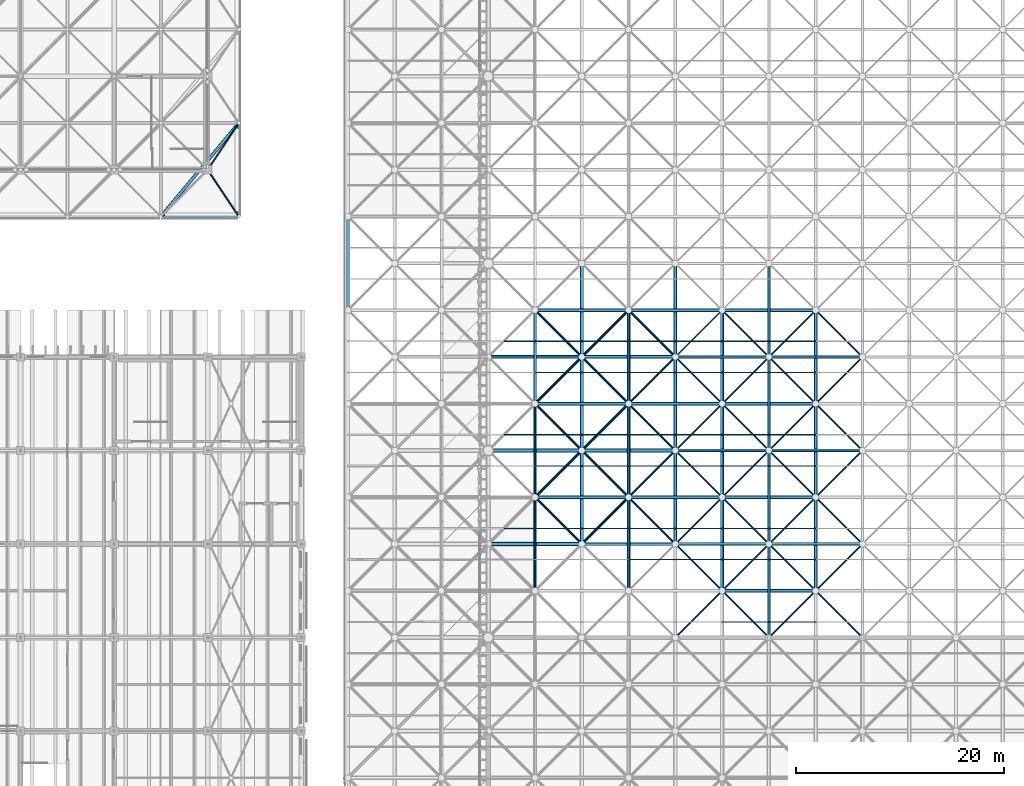
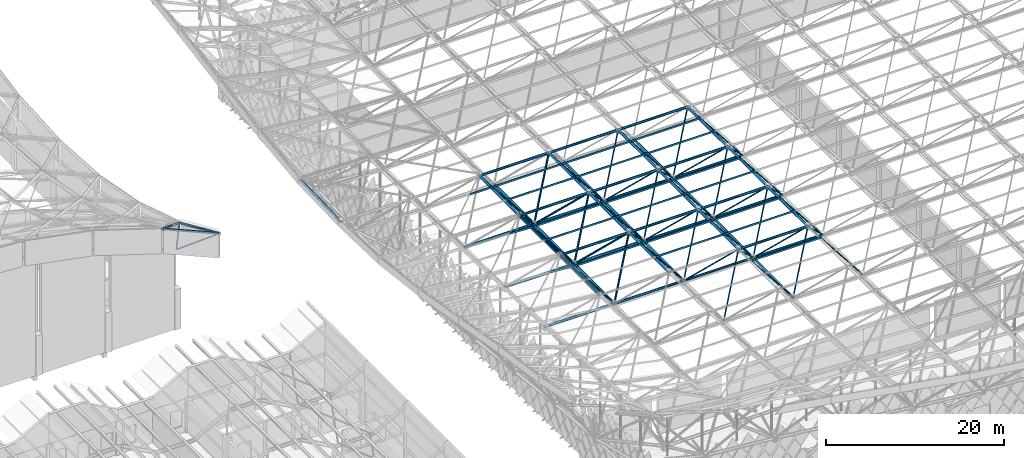
# One storey, part 79 of 437: 116 members.
"""IFC4 building model written with IfcOpenShell, lengths in metres."""

import ifcopenshell
import ifcopenshell.guid

model = None  # the IFC model being written
_history = None  # IfcOwnerHistory: only IFC2X3 demands one
_inside = {}  # id of a spatial element -> (the spatial element, [elements in it])
_under = {}  # id of a project, library or spatial element -> (it, [spatial elements below it])
_declared = {}  # id of a project -> (the project, [libraries it declares])
_typed = {}  # id of a type object -> (the type object, [elements of that type])
_made_of = {}  # id of a material, layer set ... -> (it, [elements and type objects made of it])


def new_model(schema):
    """Start an empty IFC model of exactly this schema.

    Asked for "IFC4X3", IfcOpenShell would pick the latest addendum, in which some entities
    have other attributes; the version numbers below select the first issue.
    IFC2X3 requires an IfcOwnerHistory on every rooted entity: one is made here for all.
    """
    global model, _history
    if schema == "IFC4X3":
        model = ifcopenshell.file(schema_version=(4, 3, 0, 0))
    else:
        model = ifcopenshell.file(schema=schema)
    _inside.clear()
    _under.clear()
    _declared.clear()
    _typed.clear()
    _made_of.clear()
    _history = None
    if model.schema == "IFC2X3":
        org = make("IfcOrganization", Name="unknown")
        user = make(
            "IfcPersonAndOrganization",
            ThePerson=make("IfcPerson", FamilyName="unknown"),
            TheOrganization=org,
        )
        app = make(
            "IfcApplication",
            ApplicationDeveloper=org,
            Version="unknown",
            ApplicationFullName="unknown",
            ApplicationIdentifier="unknown",
        )
        _history = make(
            "IfcOwnerHistory",
            OwningUser=user,
            OwningApplication=app,
            ChangeAction="ADDED",
            CreationDate=0,
        )
    return model


def make(cls, **values):
    """One entity of the class cls with the attributes given. An attribute that is None is left unset."""
    return model.create_entity(
        cls, **{name: value for name, value in values.items() if value is not None}
    )


def rooted(cls, **values):
    """An entity with a GlobalId (a new one), such as an element, a storey or a relation."""
    return make(cls, GlobalId=ifcopenshell.guid.new(), OwnerHistory=_history, **values)


def si_unit(unit_type, name, prefix=None):
    """IfcSIUnit, for example si_unit("LENGTHUNIT", "METRE", prefix="MILLI")."""
    return make("IfcSIUnit", UnitType=unit_type, Prefix=prefix, Name=name)


def assignment(units):
    """IfcUnitAssignment: the units of a project."""
    return None if units is None else make("IfcUnitAssignment", Units=units)


def point(xyz):
    """IfcCartesianPoint."""
    return None if xyz is None else make("IfcCartesianPoint", Coordinates=xyz)


def direction(xyz):
    """IfcDirection."""
    return None if xyz is None else make("IfcDirection", DirectionRatios=xyz)


def frame(location, z_axis=None, x_axis=None):
    """IfcAxis2Placement3D, a coordinate frame: its origin and axes. An axis left out is left unset."""
    return make(
        "IfcAxis2Placement3D",
        Location=point(location),
        Axis=direction(z_axis),
        RefDirection=direction(x_axis),
    )


def frame_2d(location, x_axis=None):
    """IfcAxis2Placement2D, a coordinate frame in the plane: its origin and x axis."""
    return make(
        "IfcAxis2Placement2D", Location=point(location), RefDirection=direction(x_axis)
    )


def origin():
    """The frame at (0, 0, 0) with its axes left unset."""
    return frame((0.0, 0.0, 0.0))


def origin_2d():
    """The frame at (0, 0) in the plane with its x axis left unset."""
    return frame_2d((0.0, 0.0))


def place(relative_to, where):
    """IfcLocalPlacement: puts the frame where relative to a parent placement (None: the world)."""
    return make(
        "IfcLocalPlacement", PlacementRelTo=relative_to, RelativePlacement=where
    )


def context(
    kind, dimensions, precision=None, world=None, true_north=None, identifier=None
):
    """IfcGeometricRepresentationContext, for example the 3D "Model" context."""
    return make(
        "IfcGeometricRepresentationContext",
        ContextIdentifier=identifier,
        ContextType=kind,
        CoordinateSpaceDimension=dimensions,
        Precision=precision,
        WorldCoordinateSystem=world,
        TrueNorth=true_north,
    )


def subcontext(parent, identifier, kind, view, scale=None):
    """IfcGeometricRepresentationSubContext, for example "Body" below "Model"."""
    return make(
        "IfcGeometricRepresentationSubContext",
        ContextIdentifier=identifier,
        ContextType=kind,
        ParentContext=parent,
        TargetScale=scale,
        TargetView=view,
    )


def project(units=None, contexts=None):
    """IfcProject with its units and contexts."""
    return rooted(
        "IfcProject",
        Name="project",
        RepresentationContexts=contexts,
        UnitsInContext=assignment(units),
    )


def spatial(cls, under=None, at=None, **own):
    """A site, building, storey or space (cls), placed at a placement, below another one or the project."""
    s = rooted(cls, ObjectPlacement=at, **own)
    if under is not None:
        _under.setdefault(under.id(), (under, []))[1].append(s)
    return s


def polyline(points):
    """IfcPolyline through the points."""
    return make("IfcPolyline", Points=[point(p) for p in points])


def profile(cls, at=None, kind="AREA", **sizes):
    """A parametric profile (cls). Its sizes go by their IFC names, for example OverallWidth=200.0."""
    return make(cls, ProfileType=kind, Position=at, **sizes)


def hollow_circle(**sizes):
    """IfcCircleHollowProfileDef."""
    return profile("IfcCircleHollowProfileDef", **sizes)


def outline(outer, holes=None, kind="AREA"):
    """IfcArbitraryClosedProfileDef: a profile drawn as a closed curve; with holes, ...WithVoids."""
    if holes is None:
        return make("IfcArbitraryClosedProfileDef", ProfileType=kind, OuterCurve=outer)
    return make(
        "IfcArbitraryProfileDefWithVoids",
        ProfileType=kind,
        OuterCurve=outer,
        InnerCurves=holes,
    )


def extrude(swept, where, along, depth):
    """IfcExtrudedAreaSolid: the profile swept, set in the frame where, extruded along a direction by depth."""
    return make(
        "IfcExtrudedAreaSolid",
        SweptArea=swept,
        Position=where,
        ExtrudedDirection=direction(along),
        Depth=depth,
    )


def shape(context_of_items, identifier, shape_type, items):
    """IfcShapeRepresentation: the items that make up one representation, for example the "Body"."""
    return make(
        "IfcShapeRepresentation",
        ContextOfItems=context_of_items,
        RepresentationIdentifier=identifier,
        RepresentationType=shape_type,
        Items=items,
    )


def material(Name=None, Category=None):
    """IfcMaterial."""
    return make("IfcMaterial", Name=Name, Category=Category)


def material_profile(
    of_material, cross_section, Name=None, Category=None, Priority=None
):
    """IfcMaterialProfile: a cross section and its material."""
    return make(
        "IfcMaterialProfile",
        Name=Name,
        Material=of_material,
        Profile=cross_section,
        Priority=Priority,
        Category=Category,
    )


def profile_set(profiles, Name=None, composite=None):
    """IfcMaterialProfileSet."""
    return make(
        "IfcMaterialProfileSet",
        Name=Name,
        MaterialProfiles=profiles,
        CompositeProfile=composite,
    )


def made_of(thing, what):
    """Note that an element or type object is made of a material, layer set ...; save() writes the relation."""
    if what is not None:
        _made_of.setdefault(what.id(), (what, []))[1].append(thing)
    return thing


def type_object(cls, material=None, **own):
    """A type object (cls), such as IfcWallType, which elements share."""
    return made_of(rooted(cls, **own), material)


def element(
    cls,
    number,
    at=None,
    inside=None,
    cuts=None,
    type_object=None,
    material=None,
    context=None,
    identifier="Body",
    shape_type=None,
    held_by="IfcProductDefinitionShape",
    body=None,
    shapes=None,
    **own,
):
    """One element of the class cls, such as IfcWall. Its Tag is "e" and its number.

    at: its placement. inside: the storey or other place that contains it. cuts: it is an
    opening in that element (IfcRelVoidsElement). A single representation is given by context,
    identifier, shape_type and body (its items); several are given by shapes. held_by: the class
    of the entity that holds the representations. save() writes the other relations.
    """
    e = rooted(cls, Tag="e%d" % number, ObjectPlacement=at, **own)
    if body is not None:
        shapes = [shape(context, identifier, shape_type, body)]
    if shapes is not None:
        e.Representation = make(held_by, Representations=shapes)
    if inside is not None:
        _inside.setdefault(inside.id(), (inside, []))[1].append(e)
    if cuts is not None:
        rooted(
            "IfcRelVoidsElement", RelatingBuildingElement=cuts, RelatedOpeningElement=e
        )
    if type_object is not None:
        _typed.setdefault(type_object.id(), (type_object, []))[1].append(e)
    return made_of(e, material)


def aggregate(whole, parts):
    """IfcRelAggregates: a whole, such as a stair, and the parts it consists of."""
    return rooted("IfcRelAggregates", RelatingObject=whole, RelatedObjects=parts)


def save(model, path):
    """Write the relations noted so far, then the file.

    IfcRelAggregates (storeys below a building ...), IfcRelContainedInSpatialStructure (elements
    in a storey), IfcRelDefinesByType, IfcRelAssociatesMaterial and IfcRelDeclares: one each for
    every whole, place, type object, material and project.
    """
    for whole, parts in _under.values():
        aggregate(whole, parts)
    for where, things in _inside.values():
        rooted(
            "IfcRelContainedInSpatialStructure",
            RelatedElements=things,
            RelatingStructure=where,
        )
    for kind, things in _typed.values():
        rooted("IfcRelDefinesByType", RelatedObjects=things, RelatingType=kind)
    for what, things in _made_of.values():
        rooted("IfcRelAssociatesMaterial", RelatedObjects=things, RelatingMaterial=what)
    for by, libraries in _declared.values():
        rooted("IfcRelDeclares", RelatingContext=by, RelatedDefinitions=libraries)
    model.write(path)


model = new_model("IFC4")

# Units and contexts
model_context = context("Model", 3, precision=1e-05, world=origin(), true_north=direction((0.0, 1.0)))
body_context = subcontext(model_context, "Body", "Model", "MODEL_VIEW")
ifc_project = project(units=[si_unit("LENGTHUNIT", "METRE"), si_unit("AREAUNIT", "SQUARE_METRE"), si_unit("VOLUMEUNIT", "CUBIC_METRE"), si_unit("PLANEANGLEUNIT", "RADIAN"), si_unit("MASSUNIT", "GRAM", prefix="KILO")], contexts=[model_context])

# Site, building, storey
site_placement = place(None, origin())
site = spatial("IfcSite", under=ifc_project, at=site_placement, CompositionType="ELEMENT")
building_placement = place(site_placement, origin())
building = spatial("IfcBuilding", under=site, at=building_placement, Name="Opaline Strait Convention Centre", CompositionType="ELEMENT")
storey_placement = place(building_placement, frame((0.0, 0.0, 11.5)))
storey = spatial("IfcBuildingStorey", under=building, at=storey_placement, Name="L02", CompositionType="ELEMENT", Elevation=11.5)

# Members
ifc_material = material(Name="Steel Q355B", Category="steel")
ifc_material_profile_1 = material_profile(ifc_material, outline(polyline([(-0.03759765625, -0.125), (0.03759765625, -0.125), (0.03759765625, -0.10498046875), (0.034912109375, -0.10498046875), (0.034912109375, -0.12255859375), (-0.034912109375, -0.12255859375), (-0.034912109375, 0.12255859375), (0.034912109375, 0.12255859375), (0.034912109375, 0.10498046875), (0.03759765625, 0.10498046875), (0.03759765625, 0.125), (-0.03759765625, 0.125), (-0.03759765625, -0.125)])), Name="C 250x75x20x2.5")
ifc_profile_set_1 = profile_set([ifc_material_profile_1], Name="Steel Q355B")
member_type_1 = type_object("IfcMemberType", Name="Roof purlin C 250x75x20x2.5", PredefinedType="PURLIN", material=ifc_profile_set_1)
member_1_placement = place(storey_placement, frame((121.5, 73.5, 18.257080078125), z_axis=(1.0, 0.0, 0.0), x_axis=(0.0, 1.0, 0.0)))
element("IfcMember", 1, at=member_1_placement, inside=storey, type_object=member_type_1, Name="EXB-RF-P-4-3-1", PredefinedType="PURLIN", context=body_context, shape_type="SweptSolid", body=[
    extrude(outline(polyline([(-0.03759765625, -0.125), (0.03759765625, -0.125), (0.03759765625, -0.10498046875), (0.034912109375, -0.10498046875), (0.034912109375, -0.12255859375), (-0.034912109375, -0.12255859375), (-0.034912109375, 0.12255859375), (0.034912109375, 0.12255859375), (0.034912109375, 0.10498046875), (0.03759765625, 0.10498046875), (0.03759765625, 0.125), (-0.03759765625, 0.125), (-0.03759765625, -0.125)])), origin(), (0.0, 0.0, 1.0), 9.0),
])
member_2_placement = place(storey_placement, frame((103.4482421875, 76.449951171875, 18.2626953125), z_axis=(0.0, 1.0, 0.0), x_axis=(-0.995149078082, 0.0, 0.098378414266)))
element("IfcMember", 2, at=member_2_placement, inside=storey, type_object=member_type_1, Name="EXB-RF-E-1-4a", PredefinedType="PURLIN", context=body_context, shape_type="SweptSolid", body=[
    extrude(outline(polyline([(-0.03759765625, -0.125), (0.03759765625, -0.125), (0.03759765625, -0.10498046875), (0.034912109375, -0.10498046875), (0.034912109375, -0.12255859375), (-0.034912109375, -0.12255859375), (-0.034912109375, 0.12255859375), (0.034912109375, 0.12255859375), (0.034912109375, 0.10498046875), (0.03759765625, 0.10498046875), (0.03759765625, 0.125), (-0.03759765625, 0.125), (-0.03759765625, -0.125)])), origin(), (0.0, 0.0, 1.0), 9.10009765625),
])
member_3_placement = place(storey_placement, frame((100.550048828125, 82.5, 18.54931640625), z_axis=(0.995144966284, 0.0, -0.098419998371), x_axis=(0.0, 1.0, 0.0)))
element("IfcMember", 3, at=member_3_placement, inside=storey, type_object=member_type_1, Name="EXB-RF-P-1-4-1a", PredefinedType="PURLIN", context=body_context, shape_type="SweptSolid", body=[
    extrude(outline(polyline([(-0.03759765625, -0.125), (0.03759765625, -0.125), (0.03759765625, -0.10498046875), (0.034912109375, -0.10498046875), (0.034912109375, -0.12255859375), (-0.034912109375, -0.12255859375), (-0.034912109375, 0.12255859375), (0.034912109375, 0.12255859375), (0.034912109375, 0.10498046875), (0.03759765625, 0.10498046875), (0.03759765625, 0.125), (-0.03759765625, 0.125), (-0.03759765625, -0.125)])), origin(), (0.0, 0.0, 1.0), 2.87744140625),
])
for number, where, z_axis, x_axis, name in (
    (4, (103.5, 82.5, 18.257080078125), (1.0, 0.0, 0.0), (0.0, 1.0, 0.0), "EXB-RF-P-2-4-1"),
    (5, (112.5, 79.5, 18.257080078125), (1.0, 0.0, 0.0), (0.0, 1.0, 0.0), "EXB-RF-P-3-4-0"),
    (6, (112.5, 82.5, 18.257080078125), (1.0, 0.0, 0.0), (0.0, 1.0, 0.0), "EXB-RF-P-3-4-1"),
    (7, (121.5, 79.5, 18.257080078125), (1.0, 0.0, 0.0), (0.0, 1.0, 0.0), "EXB-RF-P-4-4-0"),
    (8, (121.5, 82.5, 18.257080078125), (1.0, 0.0, 0.0), (0.0, 1.0, 0.0), "EXB-RF-P-4-4-1"),
):
    element("IfcMember", number, at=place(storey_placement, frame(where, z_axis=z_axis, x_axis=x_axis)), inside=storey, type_object=member_type_1, Name=name, PredefinedType="PURLIN", context=body_context, shape_type="SweptSolid", body=[
        extrude(outline(polyline([(-0.03759765625, -0.125), (0.03759765625, -0.125), (0.03759765625, -0.10498046875), (0.034912109375, -0.10498046875), (0.034912109375, -0.12255859375), (-0.034912109375, -0.12255859375), (-0.034912109375, 0.12255859375), (0.034912109375, 0.12255859375), (0.034912109375, 0.10498046875), (0.03759765625, 0.10498046875), (0.03759765625, 0.125), (-0.03759765625, 0.125), (-0.03759765625, -0.125)])), origin(), (0.0, 0.0, 1.0), 9.0),
    ])
member_4_placement = place(storey_placement, frame((103.45458984375, 85.449951171875, 18.259033203125), z_axis=(0.0, 1.0, 0.0), x_axis=(-0.999004644434, 0.0, 0.044606282058)))
element("IfcMember", 9, at=member_4_placement, inside=storey, type_object=member_type_1, Name="EXB-RF-E-1-5a", PredefinedType="PURLIN", context=body_context, shape_type="SweptSolid", body=[
    extrude(outline(polyline([(-0.03759765625, -0.125), (0.03759765625, -0.125), (0.03759765625, -0.10498046875), (0.034912109375, -0.10498046875), (0.034912109375, -0.12255859375), (-0.034912109375, -0.12255859375), (-0.034912109375, 0.12255859375), (0.034912109375, 0.12255859375), (0.034912109375, 0.10498046875), (0.03759765625, 0.10498046875), (0.03759765625, 0.125), (-0.03759765625, 0.125), (-0.03759765625, -0.125)])), origin(), (0.0, 0.0, 1.0), 9.10009765625),
])
member_5_placement = place(storey_placement, frame((100.550048828125, 91.5, 18.388916015625), z_axis=(0.99900431847, 0.0, -0.044613581762), x_axis=(0.0, 1.0, 0.0)))
element("IfcMember", 10, at=member_5_placement, inside=storey, type_object=member_type_1, Name="EXB-RF-P-1-5-1a", PredefinedType="PURLIN", context=body_context, shape_type="SweptSolid", body=[
    extrude(outline(polyline([(-0.03759765625, -0.125), (0.03759765625, -0.125), (0.03759765625, -0.10498046875), (0.034912109375, -0.10498046875), (0.034912109375, -0.12255859375), (-0.034912109375, -0.12255859375), (-0.034912109375, 0.12255859375), (0.034912109375, 0.12255859375), (0.034912109375, 0.10498046875), (0.03759765625, 0.10498046875), (0.03759765625, 0.125), (-0.03759765625, 0.125), (-0.03759765625, -0.125)])), origin(), (0.0, 0.0, 1.0), 2.873046875),
])
for number, where, z_axis, x_axis, name in (
    (11, (103.5, 88.5, 18.257080078125), (1.0, 0.0, 0.0), (0.0, 1.0, 0.0), "EXB-RF-P-2-5-0"),
    (12, (103.5, 91.5, 18.257080078125), (1.0, 0.0, 0.0), (0.0, 1.0, 0.0), "EXB-RF-P-2-5-1"),
    (13, (112.5, 88.5, 18.257080078125), (1.0, 0.0, 0.0), (0.0, 1.0, 0.0), "EXB-RF-P-3-5-0"),
    (14, (112.5, 91.5, 18.257080078125), (1.0, 0.0, 0.0), (0.0, 1.0, 0.0), "EXB-RF-P-3-5-1"),
    (15, (121.5, 88.5, 18.257080078125), (1.0, 0.0, 0.0), (0.0, 1.0, 0.0), "EXB-RF-P-4-5-0"),
    (16, (121.5, 91.5, 18.257080078125), (1.0, 0.0, 0.0), (0.0, 1.0, 0.0), "EXB-RF-P-4-5-1"),
):
    element("IfcMember", number, at=place(storey_placement, frame(where, z_axis=z_axis, x_axis=x_axis)), inside=storey, type_object=member_type_1, Name=name, PredefinedType="PURLIN", context=body_context, shape_type="SweptSolid", body=[
        extrude(outline(polyline([(-0.03759765625, -0.125), (0.03759765625, -0.125), (0.03759765625, -0.10498046875), (0.034912109375, -0.10498046875), (0.034912109375, -0.12255859375), (-0.034912109375, -0.12255859375), (-0.034912109375, 0.12255859375), (0.034912109375, 0.12255859375), (0.034912109375, 0.10498046875), (0.03759765625, 0.10498046875), (0.03759765625, 0.125), (-0.03759765625, 0.125), (-0.03759765625, -0.125)])), origin(), (0.0, 0.0, 1.0), 9.0),
    ])
member_6_placement = place(storey_placement, frame((100.550048828125, 100.5, 18.278564453125), z_axis=(0.999973480305, 0.0, -0.007282766388), x_axis=(0.0, 1.0, 0.0)))
element("IfcMember", 17, at=member_6_placement, inside=storey, type_object=member_type_1, Name="EXB-RF-P-1-6-1a", PredefinedType="PURLIN", context=body_context, shape_type="SweptSolid", body=[
    extrude(outline(polyline([(-0.03759765625, -0.125), (0.03759765625, -0.125), (0.03759765625, -0.10498046875), (0.034912109375, -0.10498046875), (0.034912109375, -0.12255859375), (-0.034912109375, -0.12255859375), (-0.034912109375, 0.12255859375), (0.034912109375, 0.12255859375), (0.034912109375, 0.10498046875), (0.03759765625, 0.10498046875), (0.03759765625, 0.125), (-0.03759765625, 0.125), (-0.03759765625, -0.125)])), origin(), (0.0, 0.0, 1.0), 2.949951171875),
])
for number, where, z_axis, x_axis, name in (
    (18, (103.5, 97.5, 18.257080078125), (1.0, 0.0, 0.0), (0.0, 1.0, 0.0), "EXB-RF-P-2-6-0"),
    (19, (103.5, 100.5, 18.257080078125), (1.0, 0.0, 0.0), (0.0, 1.0, 0.0), "EXB-RF-P-2-6-1"),
    (20, (112.5, 97.5, 18.257080078125), (1.0, 0.0, 0.0), (0.0, 1.0, 0.0), "EXB-RF-P-3-6-0"),
    (21, (112.5, 100.5, 18.257080078125), (1.0, 0.0, 0.0), (0.0, 1.0, 0.0), "EXB-RF-P-3-6-1"),
    (22, (121.5, 97.5, 18.257080078125), (1.0, 0.0, 0.0), (0.0, 1.0, 0.0), "EXB-RF-P-4-6-0"),
    (23, (121.5, 100.5, 18.257080078125), (1.0, 0.0, 0.0), (0.0, 1.0, 0.0), "EXB-RF-P-4-6-1"),
):
    element("IfcMember", number, at=place(storey_placement, frame(where, z_axis=z_axis, x_axis=x_axis)), inside=storey, type_object=member_type_1, Name=name, PredefinedType="PURLIN", context=body_context, shape_type="SweptSolid", body=[
        extrude(outline(polyline([(-0.03759765625, -0.125), (0.03759765625, -0.125), (0.03759765625, -0.10498046875), (0.034912109375, -0.10498046875), (0.034912109375, -0.12255859375), (-0.034912109375, -0.12255859375), (-0.034912109375, 0.12255859375), (0.034912109375, 0.12255859375), (0.034912109375, 0.10498046875), (0.03759765625, 0.10498046875), (0.03759765625, 0.125), (-0.03759765625, 0.125), (-0.03759765625, -0.125)])), origin(), (0.0, 0.0, 1.0), 9.0),
    ])
ifc_material_profile_2 = material_profile(ifc_material, hollow_circle(Radius=0.1494140625, WallThickness=0.01611328125, at=origin_2d()), Name="CHS 299x16")
ifc_profile_set_2 = profile_set([ifc_material_profile_2], Name="Steel Q355B")
member_type_2 = type_object("IfcMemberType", Name="Shell truss top chord CHS 299x16", PredefinedType="CHORD", material=ifc_profile_set_2)
member_7_placement = place(storey_placement, frame((67.64990234375, 112.5, 17.77978515625), z_axis=(0.917383800951, 0.0, -0.398003720777), x_axis=(0.0, 1.0, 0.0)))
element("IfcMember", 24, at=member_7_placement, inside=storey, type_object=member_type_2, Name="PTC1 top chord X8-1", PredefinedType="CHORD", context=body_context, shape_type="SweptSolid", body=[
    extrude(hollow_circle(Radius=0.1494140625, WallThickness=0.01611328125, at=origin_2d()), origin(), (0.0, 0.0, 1.0), 7.8486328125),
])
member_8_placement = place(storey_placement, frame((75.0, 112.64990234375, 14.5244140625), z_axis=(0.0, 0.913813663494, -0.406133707555), x_axis=(-1.0, 0.0, 0.0)))
element("IfcMember", 25, at=member_8_placement, inside=storey, type_object=member_type_2, Name="PTC1 top chord Y9-1", PredefinedType="CHORD", context=body_context, shape_type="SweptSolid", body=[
    extrude(hollow_circle(Radius=0.1494140625, WallThickness=0.01611328125, at=origin_2d()), origin(), (0.0, 0.0, 1.0), 9.520751953125),
])
member_9_placement = place(storey_placement, frame((67.595947265625, 112.615234375, 17.752197265625), z_axis=(0.544298715513, 0.653143911981, -0.526442721037), x_axis=(-0.768214267482, 0.640192814109, 0.0)))
element("IfcMember", 26, at=member_9_placement, inside=storey, type_object=member_type_2, Name="PTC1 top chord D8-1", PredefinedType="CHORD", context=body_context, shape_type="SweptSolid", body=[
    extrude(hollow_circle(Radius=0.1494140625, WallThickness=0.01611328125, at=origin_2d()), origin(), (0.0, 0.0, 1.0), 13.4267578125),
])
ifc_material_profile_3 = material_profile(ifc_material, hollow_circle(Radius=0.083984375, WallThickness=0.010009765625, at=origin_2d()), Name="CHS 168x10")
ifc_profile_set_3 = profile_set([ifc_material_profile_3], Name="Steel Q355B")
member_type_3 = type_object("IfcMemberType", Name="Shell truss web CHS 168x10", PredefinedType="BRACE", material=ifc_profile_set_3)
member_10_placement = place(storey_placement, frame((72.083251953125, 116.875244140625, 10.802978515625), z_axis=(0.450060474119, -0.675129489438, 0.584504698122), x_axis=(0.832064999387, 0.554678138018, 0.0)))
element("IfcMember", 27, at=member_10_placement, inside=storey, type_object=member_type_3, Name="PWB1 web 8-1bc", PredefinedType="BRACE", context=body_context, shape_type="SweptSolid", body=[
    extrude(hollow_circle(Radius=0.083984375, WallThickness=0.010009765625, at=origin_2d()), origin(), (0.0, 0.0, 1.0), 6.2958984375),
])
member_11_placement = place(storey_placement, frame((72.083251953125, 117.124755859375, 10.692138671875), z_axis=(0.5545757946, 0.831911475443, -0.019208984097), x_axis=(-0.832064999387, 0.554678138018, 0.0)))
element("IfcMember", 28, at=member_11_placement, inside=storey, type_object=member_type_3, Name="PWB1 web 8-1bd", PredefinedType="BRACE", context=body_context, shape_type="SweptSolid", body=[
    extrude(hollow_circle(Radius=0.083984375, WallThickness=0.010009765625, at=origin_2d()), origin(), (0.0, 0.0, 1.0), 5.109375),
])
ifc_material_profile_4 = material_profile(ifc_material, hollow_circle(Radius=0.1494140625, WallThickness=0.010009765625, at=origin_2d()), Name="CHS 299x10")
ifc_profile_set_4 = profile_set([ifc_material_profile_4], Name="Steel Q355B")
member_type_4 = type_object("IfcMemberType", Name="Space frame bottom chord CHS 299x10", PredefinedType="CHORD", material=ifc_profile_set_4)
for number, where, z_axis, x_axis, name in (
    (29, (116.949951171875, 81.0, 12.5), (1.0, 0.0, 0.0), (0.0, 1.0, 0.0), "EXB-RF-BX-3-4"),
    (30, (125.949951171875, 81.0, 12.5), (1.0, 0.0, 0.0), (0.0, 1.0, 0.0), "EXB-RF-BX-4-4"),
    (31, (116.949951171875, 90.0, 12.5), (1.0, 0.0, 0.0), (0.0, 1.0, 0.0), "EXB-RF-BX-3-5"),
    (32, (125.949951171875, 90.0, 12.5), (1.0, 0.0, 0.0), (0.0, 1.0, 0.0), "EXB-RF-BX-4-5"),
    (33, (116.949951171875, 99.0, 12.5), (1.0, 0.0, 0.0), (0.0, 1.0, 0.0), "EXB-RF-BX-3-6"),
    (34, (125.949951171875, 99.0, 12.5), (1.0, 0.0, 0.0), (0.0, 1.0, 0.0), "EXB-RF-BX-4-6"),
    (35, (126.0, 71.949951171875, 12.5), (0.0, 1.0, 0.0), (-1.0, 0.0, 0.0), "EXB-RF-BY-4-3"),
    (36, (126.0, 80.949951171875, 12.5), (0.0, 1.0, 0.0), (-1.0, 0.0, 0.0), "EXB-RF-BY-4-4"),
    (37, (126.0, 89.949951171875, 12.5), (0.0, 1.0, 0.0), (-1.0, 0.0, 0.0), "EXB-RF-BY-4-5"),
    (38, (126.0, 98.949951171875, 12.5), (0.0, 1.0, 0.0), (-1.0, 0.0, 0.0), "EXB-RF-BY-4-6"),
):
    element("IfcMember", number, at=place(storey_placement, frame(where, z_axis=z_axis, x_axis=x_axis)), inside=storey, type_object=member_type_4, Name=name, PredefinedType="CHORD", context=body_context, shape_type="SweptSolid", body=[
        extrude(hollow_circle(Radius=0.1494140625, WallThickness=0.010009765625, at=origin_2d()), origin(), (0.0, 0.0, 1.0), 9.10009765625),
    ])
ifc_material_profile_5 = material_profile(ifc_material, hollow_circle(Radius=0.16259765625, WallThickness=0.013916015625, at=origin_2d()), Name="CHS 325x14")
ifc_profile_set_5 = profile_set([ifc_material_profile_5], Name="Steel Q355B")
member_type_5 = type_object("IfcMemberType", Name="Space frame bottom chord CHS 325x14", PredefinedType="CHORD", material=ifc_profile_set_5)
for number, where, z_axis, x_axis, name in (
    (39, (107.949951171875, 81.0, 12.5), (1.0, 0.0, 0.0), (0.0, 1.0, 0.0), "EXB-RF-BX-2-4"),
    (40, (107.949951171875, 99.0, 12.5), (1.0, 0.0, 0.0), (0.0, 1.0, 0.0), "EXB-RF-BX-2-6"),
    (41, (117.0, 80.949951171875, 12.5), (0.0, 1.0, 0.0), (-1.0, 0.0, 0.0), "EXB-RF-BY-3-4"),
    (42, (117.0, 89.949951171875, 12.5), (0.0, 1.0, 0.0), (-1.0, 0.0, 0.0), "EXB-RF-BY-3-5"),
    (43, (117.0, 98.949951171875, 12.5), (0.0, 1.0, 0.0), (-1.0, 0.0, 0.0), "EXB-RF-BY-3-6"),
):
    element("IfcMember", number, at=place(storey_placement, frame(where, z_axis=z_axis, x_axis=x_axis)), inside=storey, type_object=member_type_5, Name=name, PredefinedType="CHORD", context=body_context, shape_type="SweptSolid", body=[
        extrude(hollow_circle(Radius=0.16259765625, WallThickness=0.013916015625, at=origin_2d()), origin(), (0.0, 0.0, 1.0), 9.10009765625),
    ])
ifc_material_profile_6 = material_profile(ifc_material, hollow_circle(Radius=0.175537109375, WallThickness=0.01611328125, at=origin_2d()), Name="CHS 351x16")
ifc_profile_set_6 = profile_set([ifc_material_profile_6], Name="Steel Q355B")
member_type_6 = type_object("IfcMemberType", Name="Space frame bottom chord CHS 351x16", PredefinedType="CHORD", material=ifc_profile_set_6)
for number, where, z_axis, x_axis, name in (
    (44, (98.949951171875, 81.0, 12.5), (1.0, 0.0, 0.0), (0.0, 1.0, 0.0), "EXB-RF-BX-1-4"),
    (45, (98.949951171875, 90.0, 12.5), (1.0, 0.0, 0.0), (0.0, 1.0, 0.0), "EXB-RF-BX-1-5"),
    (46, (107.949951171875, 90.0, 12.5), (1.0, 0.0, 0.0), (0.0, 1.0, 0.0), "EXB-RF-BX-2-5"),
    (47, (98.949951171875, 99.0, 12.5), (1.0, 0.0, 0.0), (0.0, 1.0, 0.0), "EXB-RF-BX-1-6"),
    (48, (108.0, 80.949951171875, 12.5), (0.0, 1.0, 0.0), (-1.0, 0.0, 0.0), "EXB-RF-BY-2-4"),
    (49, (108.0, 89.949951171875, 12.5), (0.0, 1.0, 0.0), (-1.0, 0.0, 0.0), "EXB-RF-BY-2-5"),
    (50, (108.0, 98.949951171875, 12.5), (0.0, 1.0, 0.0), (-1.0, 0.0, 0.0), "EXB-RF-BY-2-6"),
):
    element("IfcMember", number, at=place(storey_placement, frame(where, z_axis=z_axis, x_axis=x_axis)), inside=storey, type_object=member_type_6, Name=name, PredefinedType="CHORD", context=body_context, shape_type="SweptSolid", body=[
        extrude(hollow_circle(Radius=0.175537109375, WallThickness=0.01611328125, at=origin_2d()), origin(), (0.0, 0.0, 1.0), 9.10009765625),
    ])
ifc_material_profile_7 = material_profile(ifc_material, hollow_circle(Radius=0.16259765625, WallThickness=0.010009765625, at=origin_2d()), Name="CHS 325x10")
ifc_profile_set_7 = profile_set([ifc_material_profile_7], Name="Steel Q355B")
member_type_7 = type_object("IfcMemberType", Name="Space frame top chord CHS 325x10", PredefinedType="CHORD", material=ifc_profile_set_7)
for number, where, z_axis, x_axis, name in (
    (51, (121.449951171875, 76.5, 17.971435546875), (1.0, 0.0, 0.0), (0.0, 1.0, 0.0), "EXB-RF-TX-4-4"),
    (52, (121.449951171875, 85.5, 17.971435546875), (1.0, 0.0, 0.0), (0.0, 1.0, 0.0), "EXB-RF-TX-4-5"),
    (53, (121.449951171875, 94.5, 17.971435546875), (1.0, 0.0, 0.0), (0.0, 1.0, 0.0), "EXB-RF-TX-4-6"),
    (54, (121.449951171875, 103.5, 17.971435546875), (1.0, 0.0, 0.0), (0.0, 1.0, 0.0), "EXB-RF-TX-4-7"),
    (55, (121.5, 76.449951171875, 17.971435546875), (0.0, 1.0, 0.0), (-1.0, 0.0, 0.0), "EXB-RF-TY-4-4"),
    (56, (121.5, 85.449951171875, 17.971435546875), (0.0, 1.0, 0.0), (-1.0, 0.0, 0.0), "EXB-RF-TY-4-5"),
    (57, (121.5, 94.449951171875, 17.971435546875), (0.0, 1.0, 0.0), (-1.0, 0.0, 0.0), "EXB-RF-TY-4-6"),
    (58, (130.5, 76.449951171875, 17.971435546875), (0.0, 1.0, 0.0), (-1.0, 0.0, 0.0), "EXB-RF-TY-5-4"),
    (59, (130.5, 85.449951171875, 17.971435546875), (0.0, 1.0, 0.0), (-1.0, 0.0, 0.0), "EXB-RF-TY-5-5"),
    (60, (130.5, 94.449951171875, 17.971435546875), (0.0, 1.0, 0.0), (-1.0, 0.0, 0.0), "EXB-RF-TY-5-6"),
):
    element("IfcMember", number, at=place(storey_placement, frame(where, z_axis=z_axis, x_axis=x_axis)), inside=storey, type_object=member_type_7, Name=name, PredefinedType="CHORD", context=body_context, shape_type="SweptSolid", body=[
        extrude(hollow_circle(Radius=0.16259765625, WallThickness=0.010009765625, at=origin_2d()), origin(), (0.0, 0.0, 1.0), 9.10009765625),
    ])
ifc_material_profile_8 = material_profile(ifc_material, hollow_circle(Radius=0.16259765625, WallThickness=0.013916015625, at=origin_2d()), Name="CHS 325x14")
ifc_profile_set_8 = profile_set([ifc_material_profile_8], Name="Steel Q355B")
member_type_8 = type_object("IfcMemberType", Name="Space frame top chord CHS 325x14", PredefinedType="CHORD", material=ifc_profile_set_8)
for number, where, z_axis, x_axis, name in (
    (61, (112.449951171875, 85.5, 17.971435546875), (1.0, 0.0, 0.0), (0.0, 1.0, 0.0), "EXB-RF-TX-3-5"),
    (62, (112.449951171875, 94.5, 17.971435546875), (1.0, 0.0, 0.0), (0.0, 1.0, 0.0), "EXB-RF-TX-3-6"),
    (63, (112.449951171875, 103.5, 17.971435546875), (1.0, 0.0, 0.0), (0.0, 1.0, 0.0), "EXB-RF-TX-3-7"),
    (64, (112.5, 76.449951171875, 17.971435546875), (0.0, 1.0, 0.0), (-1.0, 0.0, 0.0), "EXB-RF-TY-3-4"),
    (65, (112.5, 94.449951171875, 17.971435546875), (0.0, 1.0, 0.0), (-1.0, 0.0, 0.0), "EXB-RF-TY-3-6"),
):
    element("IfcMember", number, at=place(storey_placement, frame(where, z_axis=z_axis, x_axis=x_axis)), inside=storey, type_object=member_type_8, Name=name, PredefinedType="CHORD", context=body_context, shape_type="SweptSolid", body=[
        extrude(hollow_circle(Radius=0.16259765625, WallThickness=0.013916015625, at=origin_2d()), origin(), (0.0, 0.0, 1.0), 9.10009765625),
    ])
ifc_material_profile_9 = material_profile(ifc_material, hollow_circle(Radius=0.16259765625, WallThickness=0.02001953125, at=origin_2d()), Name="CHS 325x20")
ifc_profile_set_9 = profile_set([ifc_material_profile_9], Name="Steel Q355B")
member_type_9 = type_object("IfcMemberType", Name="Space frame top chord CHS 325x20", PredefinedType="CHORD", material=ifc_profile_set_9)
for number, where, z_axis, x_axis, name in (
    (66, (103.449951171875, 85.5, 17.971435546875), (1.0, 0.0, 0.0), (0.0, 1.0, 0.0), "EXB-RF-TX-2-5"),
    (67, (103.449951171875, 94.5, 17.971435546875), (1.0, 0.0, 0.0), (0.0, 1.0, 0.0), "EXB-RF-TX-2-6"),
    (68, (103.449951171875, 103.5, 17.971435546875), (1.0, 0.0, 0.0), (0.0, 1.0, 0.0), "EXB-RF-TX-2-7"),
):
    element("IfcMember", number, at=place(storey_placement, frame(where, z_axis=z_axis, x_axis=x_axis)), inside=storey, type_object=member_type_9, Name=name, PredefinedType="CHORD", context=body_context, shape_type="SweptSolid", body=[
        extrude(hollow_circle(Radius=0.16259765625, WallThickness=0.02001953125, at=origin_2d()), origin(), (0.0, 0.0, 1.0), 9.10009765625),
    ])
member_12_placement = place(storey_placement, frame((85.5, 103.449951171875, 17.97021484375), z_axis=(0.0, 0.999606481677, 0.028051413313), x_axis=(-1.0, 0.0, 0.0)))
element("IfcMember", 69, at=member_12_placement, inside=storey, type_object=member_type_9, Name="EXB-RF-TY-0-7", PredefinedType="CHORD", context=body_context, shape_type="SweptSolid", body=[
    extrude(hollow_circle(Radius=0.16259765625, WallThickness=0.02001953125, at=origin_2d()), origin(), (0.0, 0.0, 1.0), 9.103759765625),
])
for number, where, z_axis, x_axis, name in (
    (70, (103.5, 76.449951171875, 17.971435546875), (0.0, 1.0, 0.0), (-1.0, 0.0, 0.0), "EXB-RF-TY-2-4"),
    (71, (103.5, 85.449951171875, 17.971435546875), (0.0, 1.0, 0.0), (-1.0, 0.0, 0.0), "EXB-RF-TY-2-5"),
    (72, (103.5, 94.449951171875, 17.971435546875), (0.0, 1.0, 0.0), (-1.0, 0.0, 0.0), "EXB-RF-TY-2-6"),
    (73, (112.5, 85.449951171875, 17.971435546875), (0.0, 1.0, 0.0), (-1.0, 0.0, 0.0), "EXB-RF-TY-3-5"),
):
    element("IfcMember", number, at=place(storey_placement, frame(where, z_axis=z_axis, x_axis=x_axis)), inside=storey, type_object=member_type_9, Name=name, PredefinedType="CHORD", context=body_context, shape_type="SweptSolid", body=[
        extrude(hollow_circle(Radius=0.16259765625, WallThickness=0.02001953125, at=origin_2d()), origin(), (0.0, 0.0, 1.0), 9.10009765625),
    ])
ifc_material_profile_10 = material_profile(ifc_material, hollow_circle(Radius=0.083984375, WallThickness=0.008056640625, at=origin_2d()), Name="CHS 168x8")
ifc_profile_set_10 = profile_set([ifc_material_profile_10], Name="Steel Q355B")
member_type_10 = type_object("IfcMemberType", Name="Space frame web CHS 168x8", PredefinedType="BRACE", material=ifc_profile_set_10)
for number, where, z_axis, x_axis, name in (
    (74, (121.52685546875, 76.52685546875, 18.004150390625), (-0.536178220346, -0.536178220346, -0.6519400525), (0.707106781187, -0.707106781187, 0.0), "EXB-RF-W-3-3-11"),
    (75, (121.52685546875, 76.47314453125, 18.004150390625), (-0.536178220346, 0.536178220346, -0.6519400525), (-0.707106781187, -0.707106781187, 0.0), "EXB-RF-W-3-4-10"),
    (76, (121.52685546875, 85.52685546875, 18.004150390625), (-0.536178220346, -0.536178220346, -0.6519400525), (0.707106781187, -0.707106781187, 0.0), "EXB-RF-W-3-4-11"),
    (77, (121.52685546875, 85.47314453125, 18.004150390625), (-0.536178220346, 0.536178220346, -0.6519400525), (-0.707106781187, -0.707106781187, 0.0), "EXB-RF-W-3-5-10"),
    (78, (121.52685546875, 94.52685546875, 18.004150390625), (-0.536178220346, -0.536178220346, -0.6519400525), (0.707106781187, -0.707106781187, 0.0), "EXB-RF-W-3-5-11"),
    (79, (121.52685546875, 94.47314453125, 18.004150390625), (-0.536178220346, 0.536178220346, -0.6519400525), (-0.707106781187, -0.707106781187, 0.0), "EXB-RF-W-3-6-10"),
    (80, (121.52685546875, 103.52685546875, 18.004150390625), (-0.536178220346, -0.536178220346, -0.6519400525), (0.707106781187, -0.707106781187, 0.0), "EXB-RF-W-3-6-11"),
    (81, (121.47314453125, 76.52685546875, 18.004150390625), (0.536178220346, -0.536178220346, -0.6519400525), (0.707106781187, 0.707106781187, 0.0), "EXB-RF-W-4-3-01"),
    (82, (130.52685546875, 76.52685546875, 18.004150390625), (-0.536178220346, -0.536178220346, -0.6519400525), (0.707106781187, -0.707106781187, 0.0), "EXB-RF-W-4-3-11"),
    (83, (121.47314453125, 76.47314453125, 18.004150390625), (0.536178220346, 0.536178220346, -0.6519400525), (-0.707106781187, 0.707106781187, 0.0), "EXB-RF-W-4-4-00"),
    (84, (121.47314453125, 85.52685546875, 18.004150390625), (0.536178220346, -0.536178220346, -0.6519400525), (0.707106781187, 0.707106781187, 0.0), "EXB-RF-W-4-4-01"),
    (85, (130.52685546875, 76.47314453125, 18.004150390625), (-0.536178220346, 0.536178220346, -0.6519400525), (-0.707106781187, -0.707106781187, 0.0), "EXB-RF-W-4-4-10"),
    (86, (130.52685546875, 85.52685546875, 18.004150390625), (-0.536178220346, -0.536178220346, -0.6519400525), (0.707106781187, -0.707106781187, 0.0), "EXB-RF-W-4-4-11"),
    (87, (121.47314453125, 85.47314453125, 18.004150390625), (0.536178220346, 0.536178220346, -0.6519400525), (-0.707106781187, 0.707106781187, 0.0), "EXB-RF-W-4-5-00"),
    (88, (121.47314453125, 94.52685546875, 18.004150390625), (0.536178220346, -0.536178220346, -0.6519400525), (0.707106781187, 0.707106781187, 0.0), "EXB-RF-W-4-5-01"),
    (89, (130.52685546875, 85.47314453125, 18.004150390625), (-0.536178220346, 0.536178220346, -0.6519400525), (-0.707106781187, -0.707106781187, 0.0), "EXB-RF-W-4-5-10"),
    (90, (130.52685546875, 94.52685546875, 18.004150390625), (-0.536178220346, -0.536178220346, -0.6519400525), (0.707106781187, -0.707106781187, 0.0), "EXB-RF-W-4-5-11"),
    (91, (121.47314453125, 94.47314453125, 18.004150390625), (0.536178220346, 0.536178220346, -0.6519400525), (-0.707106781187, 0.707106781187, 0.0), "EXB-RF-W-4-6-00"),
    (92, (121.47314453125, 103.52685546875, 18.004150390625), (0.536178220346, -0.536178220346, -0.6519400525), (0.707106781187, 0.707106781187, 0.0), "EXB-RF-W-4-6-01"),
    (93, (130.52685546875, 94.47314453125, 18.004150390625), (-0.536178220346, 0.536178220346, -0.6519400525), (-0.707106781187, -0.707106781187, 0.0), "EXB-RF-W-4-6-10"),
    (94, (130.52685546875, 103.52685546875, 18.004150390625), (-0.536178220346, -0.536178220346, -0.6519400525), (0.707106781187, -0.707106781187, 0.0), "EXB-RF-W-4-6-11"),
    (95, (130.47314453125, 76.52685546875, 18.004150390625), (0.536178220346, -0.536178220346, -0.6519400525), (0.707106781187, 0.707106781187, 0.0), "EXB-RF-W-5-3-01"),
    (96, (130.47314453125, 76.47314453125, 18.004150390625), (0.536178220346, 0.536178220346, -0.6519400525), (-0.707106781187, 0.707106781187, 0.0), "EXB-RF-W-5-4-00"),
    (97, (130.47314453125, 85.52685546875, 18.004150390625), (0.536178220346, -0.536178220346, -0.6519400525), (0.707106781187, 0.707106781187, 0.0), "EXB-RF-W-5-4-01"),
    (98, (130.47314453125, 85.47314453125, 18.004150390625), (0.536178220346, 0.536178220346, -0.6519400525), (-0.707106781187, 0.707106781187, 0.0), "EXB-RF-W-5-5-00"),
    (99, (130.47314453125, 94.52685546875, 18.004150390625), (0.536178220346, -0.536178220346, -0.6519400525), (0.707106781187, 0.707106781187, 0.0), "EXB-RF-W-5-5-01"),
    (100, (130.47314453125, 94.47314453125, 18.004150390625), (0.536178220346, 0.536178220346, -0.6519400525), (-0.707106781187, 0.707106781187, 0.0), "EXB-RF-W-5-6-00"),
    (101, (130.47314453125, 103.52685546875, 18.004150390625), (0.536178220346, -0.536178220346, -0.6519400525), (0.707106781187, 0.707106781187, 0.0), "EXB-RF-W-5-6-01"),
):
    element("IfcMember", number, at=place(storey_placement, frame(where, z_axis=z_axis, x_axis=x_axis)), inside=storey, type_object=member_type_10, Name=name, PredefinedType="BRACE", context=body_context, shape_type="SweptSolid", body=[
        extrude(hollow_circle(Radius=0.083984375, WallThickness=0.008056640625, at=origin_2d()), origin(), (0.0, 0.0, 1.0), 8.492919921875),
    ])
ifc_material_profile_11 = material_profile(ifc_material, hollow_circle(Radius=0.109619140625, WallThickness=0.010009765625, at=origin_2d()), Name="CHS 219x10")
ifc_profile_set_11 = profile_set([ifc_material_profile_11], Name="Steel Q355B")
member_type_11 = type_object("IfcMemberType", Name="Space frame web CHS 219x10", PredefinedType="BRACE", material=ifc_profile_set_11)
for number, where, z_axis, x_axis, name in (
    (102, (112.47314453125, 85.52685546875, 18.004150390625), (0.536178220346, -0.536178220346, -0.6519400525), (0.707106781187, 0.707106781187, 0.0), "EXB-RF-W-3-4-01"),
    (103, (112.47314453125, 85.47314453125, 18.004150390625), (0.536178220346, 0.536178220346, -0.6519400525), (-0.707106781187, 0.707106781187, 0.0), "EXB-RF-W-3-5-00"),
    (104, (112.47314453125, 94.52685546875, 18.004150390625), (0.536178220346, -0.536178220346, -0.6519400525), (0.707106781187, 0.707106781187, 0.0), "EXB-RF-W-3-5-01"),
    (105, (112.47314453125, 94.47314453125, 18.004150390625), (0.536178220346, 0.536178220346, -0.6519400525), (-0.707106781187, 0.707106781187, 0.0), "EXB-RF-W-3-6-00"),
    (106, (112.47314453125, 103.52685546875, 18.004150390625), (0.536178220346, -0.536178220346, -0.6519400525), (0.707106781187, 0.707106781187, 0.0), "EXB-RF-W-3-6-01"),
):
    element("IfcMember", number, at=place(storey_placement, frame(where, z_axis=z_axis, x_axis=x_axis)), inside=storey, type_object=member_type_11, Name=name, PredefinedType="BRACE", context=body_context, shape_type="SweptSolid", body=[
        extrude(hollow_circle(Radius=0.109619140625, WallThickness=0.010009765625, at=origin_2d()), origin(), (0.0, 0.0, 1.0), 8.492919921875),
    ])
ifc_material_profile_12 = material_profile(ifc_material, hollow_circle(Radius=0.12255859375, WallThickness=0.011962890625, at=origin_2d()), Name="CHS 245x12")
ifc_profile_set_12 = profile_set([ifc_material_profile_12], Name="Steel Q355B")
member_type_12 = type_object("IfcMemberType", Name="Space frame web CHS 245x12", PredefinedType="BRACE", material=ifc_profile_set_12)
for number, where, z_axis, x_axis, name in (
    (107, (103.47314453125, 85.52685546875, 18.004150390625), (0.536178220346, -0.536178220346, -0.6519400525), (0.707106781187, 0.707106781187, 0.0), "EXB-RF-W-2-4-01"),
    (108, (112.52685546875, 85.52685546875, 18.004150390625), (-0.536178220346, -0.536178220346, -0.6519400525), (0.707106781187, -0.707106781187, 0.0), "EXB-RF-W-2-4-11"),
    (109, (103.47314453125, 85.47314453125, 18.004150390625), (0.536178220346, 0.536178220346, -0.6519400525), (-0.707106781187, 0.707106781187, 0.0), "EXB-RF-W-2-5-00"),
    (110, (103.47314453125, 94.52685546875, 18.004150390625), (0.536178220346, -0.536178220346, -0.6519400525), (0.707106781187, 0.707106781187, 0.0), "EXB-RF-W-2-5-01"),
    (111, (112.52685546875, 85.47314453125, 18.004150390625), (-0.536178220346, 0.536178220346, -0.6519400525), (-0.707106781187, -0.707106781187, 0.0), "EXB-RF-W-2-5-10"),
    (112, (112.52685546875, 94.52685546875, 18.004150390625), (-0.536178220346, -0.536178220346, -0.6519400525), (0.707106781187, -0.707106781187, 0.0), "EXB-RF-W-2-5-11"),
    (113, (103.47314453125, 94.47314453125, 18.004150390625), (0.536178220346, 0.536178220346, -0.6519400525), (-0.707106781187, 0.707106781187, 0.0), "EXB-RF-W-2-6-00"),
    (114, (103.47314453125, 103.52685546875, 18.004150390625), (0.536178220346, -0.536178220346, -0.6519400525), (0.707106781187, 0.707106781187, 0.0), "EXB-RF-W-2-6-01"),
    (115, (112.52685546875, 94.47314453125, 18.004150390625), (-0.536178220346, 0.536178220346, -0.6519400525), (-0.707106781187, -0.707106781187, 0.0), "EXB-RF-W-2-6-10"),
    (116, (112.52685546875, 103.52685546875, 18.004150390625), (-0.536178220346, -0.536178220346, -0.6519400525), (0.707106781187, -0.707106781187, 0.0), "EXB-RF-W-2-6-11"),
):
    element("IfcMember", number, at=place(storey_placement, frame(where, z_axis=z_axis, x_axis=x_axis)), inside=storey, type_object=member_type_12, Name=name, PredefinedType="BRACE", context=body_context, shape_type="SweptSolid", body=[
        extrude(hollow_circle(Radius=0.12255859375, WallThickness=0.011962890625, at=origin_2d()), origin(), (0.0, 0.0, 1.0), 8.492919921875),
    ])

save(model, "model.ifc")
